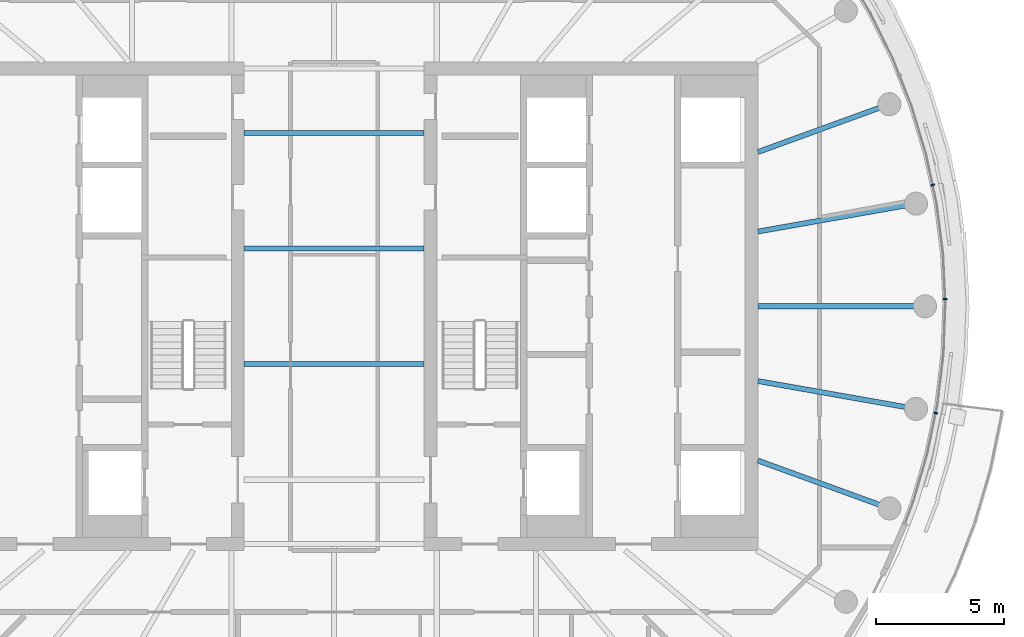
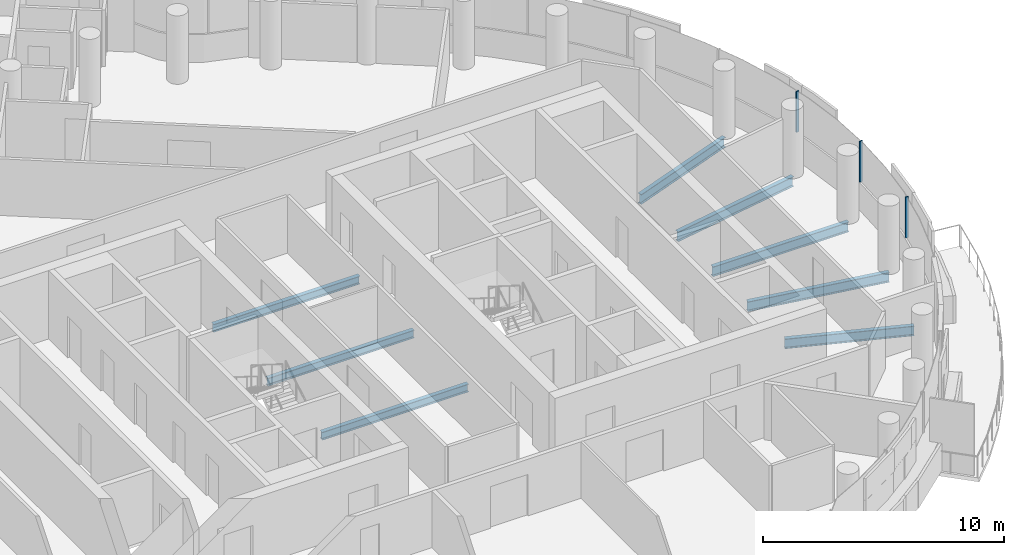
# One storey, part 8 of 26: 8 beams, 3 members, 1 element without a shape of its own.
"""IFC4 building model written with IfcOpenShell, lengths in metres."""

from ifc_helpers import new_model, si_unit, direction, frame, origin, origin_2d, place, context, subcontext, project, spatial, rectangle, i_section, extrude, material, layer, layer_set, material_profile, profile_set, type_object, element, aggregate, save


model = new_model("IFC4")

# Units and contexts
model_context = context("Model", 3, precision=1e-05, world=origin(), true_north=direction((0.0, 1.0)))
body_context = subcontext(model_context, "Body", "Model", "MODEL_VIEW")
ifc_project = project(units=[si_unit("LENGTHUNIT", "METRE"), si_unit("AREAUNIT", "SQUARE_METRE"), si_unit("VOLUMEUNIT", "CUBIC_METRE"), si_unit("PLANEANGLEUNIT", "RADIAN"), si_unit("MASSUNIT", "GRAM", prefix="KILO")], contexts=[model_context])

# Site, building, storey
site_placement = place(None, origin())
site = spatial("IfcSite", under=ifc_project, at=site_placement, CompositionType="ELEMENT")
building_placement = place(site_placement, origin())
building = spatial("IfcBuilding", under=site, at=building_placement, Name="Tamarind Cross Interchange Tower", CompositionType="ELEMENT")
storey_placement = place(building_placement, frame((0.0, 0.0, 234.300048828125)))
storey = spatial("IfcBuildingStorey", under=building, at=storey_placement, Name="L59", CompositionType="ELEMENT", Elevation=234.300048828125)

# Beams
ifc_material_1 = material(Name="Steel Q355B", Category="steel")
ifc_material_profile_1 = material_profile(ifc_material_1, i_section(OverallWidth=0.199951171875, OverallDepth=0.39990234375, WebThickness=0.008056640625, FlangeThickness=0.012939453125, FilletRadius=0.01611328125, at=origin_2d()), Name="HN 400x200x8x13")
ifc_profile_set_1 = profile_set([ifc_material_profile_1], Name="Steel Q355B")
beam_type_1 = type_object("IfcBeamType", Name="Composite beam HN 400x200x8x13 Q355B", PredefinedType="BEAM", material=ifc_profile_set_1)
for number, where, z_axis, x_axis, name in (
    (1, (-3.5, -2.25, -0.340087890625), (1.0, 0.0, 0.0), (0.0, 1.0, 0.0), "Beam G-2.25"),
    (2, (-3.5, 2.25, -0.340087890625), (1.0, 0.0, 0.0), (0.0, 1.0, 0.0), "Beam G2.25"),
    (3, (-3.5, 6.75, -0.340087890625), (1.0, 0.0, 0.0), (0.0, 1.0, 0.0), "Beam G6.75"),
):
    element("IfcBeam", number, at=place(storey_placement, frame(where, z_axis=z_axis, x_axis=x_axis)), inside=storey, type_object=beam_type_1, Name=name, PredefinedType="BEAM", context=body_context, shape_type="SweptSolid", body=[
        extrude(i_section(OverallWidth=0.199951171875, OverallDepth=0.39990234375, WebThickness=0.008056640625, FlangeThickness=0.012939453125, FilletRadius=0.01611328125, at=origin_2d()), origin(), (0.0, 0.0, 1.0), 7.0),
    ])
ifc_material_profile_2 = material_profile(ifc_material_1, i_section(OverallWidth=0.198974609375, OverallDepth=0.49609375, WebThickness=0.009033203125, FlangeThickness=0.013916015625, FilletRadius=0.012939453125, at=origin_2d()), Name="HN 496x199x9x14")
ifc_profile_set_2 = profile_set([ifc_material_profile_2], Name="Steel Q355B")
beam_type_2 = type_object("IfcBeamType", Name="Composite beam HN 496x199x9x14 Q355B", PredefinedType="BEAM", material=ifc_profile_set_2)
beam_1_placement = place(storey_placement, frame((23.0, 0.0, -0.387939453125), z_axis=(-1.0, 0.0, 0.0), x_axis=(0.0, -1.0, 0.0)))
element("IfcBeam", 4, at=beam_1_placement, inside=storey, type_object=beam_type_2, Name="Beam HH00", PredefinedType="BEAM", context=body_context, shape_type="SweptSolid", body=[
    extrude(i_section(OverallWidth=0.198974609375, OverallDepth=0.49609375, WebThickness=0.009033203125, FlangeThickness=0.013916015625, FilletRadius=0.012939453125, at=origin_2d()), origin(), (0.0, 0.0, 1.0), 6.5),
])
beam_2_placement = place(storey_placement, frame((22.650634765625, 3.993896484375, -0.387939453125), z_axis=(-0.984809127561, -0.173640382036, 0.0), x_axis=(0.173640382036, -0.984809127561, 0.0)))
element("IfcBeam", 5, at=beam_2_placement, inside=storey, type_object=beam_type_2, Name="Beam HH01", PredefinedType="BEAM", context=body_context, shape_type="SweptSolid", body=[
    extrude(i_section(OverallWidth=0.198974609375, OverallDepth=0.49609375, WebThickness=0.009033203125, FlangeThickness=0.013916015625, FilletRadius=0.012939453125, at=origin_2d()), origin(), (0.0, 0.0, 1.0), 6.24560546875),
])
for number, where, z_axis, x_axis, name in (
    (6, (21.613037109375, 7.866455078125, -0.387939453125), (-0.939701685589, -0.341995236956, 0.0), (0.341995236956, -0.939701685589, 0.0), "Beam HH02"),
    (7, (21.613037109375, -7.866455078125, -0.387939453125), (-0.939701685589, 0.341995236956, 0.0), (-0.341995236956, -0.939701685589, 0.0), "Beam HH34"),
):
    element("IfcBeam", number, at=place(storey_placement, frame(where, z_axis=z_axis, x_axis=x_axis)), inside=storey, type_object=beam_type_2, Name=name, PredefinedType="BEAM", context=body_context, shape_type="SweptSolid", body=[
        extrude(i_section(OverallWidth=0.198974609375, OverallDepth=0.49609375, WebThickness=0.009033203125, FlangeThickness=0.013916015625, FilletRadius=0.012939453125, at=origin_2d()), origin(), (0.0, 0.0, 1.0), 5.441162109375),
    ])
beam_3_placement = place(storey_placement, frame((22.650634765625, -3.993896484375, -0.387939453125), z_axis=(-0.984809127561, 0.173640382036, 0.0), x_axis=(-0.173640382036, -0.984809127561, 0.0)))
element("IfcBeam", 8, at=beam_3_placement, inside=storey, type_object=beam_type_2, Name="Beam HH35", PredefinedType="BEAM", context=body_context, shape_type="SweptSolid", body=[
    extrude(i_section(OverallWidth=0.198974609375, OverallDepth=0.49609375, WebThickness=0.009033203125, FlangeThickness=0.013916015625, FilletRadius=0.012939453125, at=origin_2d()), origin(), (0.0, 0.0, 1.0), 6.24560546875),
])

# Curtain wall, members
ifc_material_2 = material(Name="Aluminium 6063-T6", Category="aluminium")
ifc_layer = layer(ifc_material_2, 0.139892578125)
ifc_layer_set = layer_set([ifc_layer], Name="Aluminium 6063-T6")
curtain_wall_type = type_object("IfcCurtainWallType", Name="Hotel curtain wall, 4.5 m bays", PredefinedType="NOTDEFINED", material=ifc_layer_set)
curtain_wall_placement = place(storey_placement, origin())
curtain_wall = element("IfcCurtainWall", 9, at=curtain_wall_placement, inside=storey, type_object=curtain_wall_type, Name="CWS-L59-02", PredefinedType="NOTDEFINED")
ifc_material_profile_3 = material_profile(ifc_material_2, rectangle(XDim=0.06005859375, YDim=0.139892578125, at=origin_2d()), Name="Mullion CW2")
ifc_profile_set_3 = profile_set([ifc_material_profile_3], Name="Aluminium 6063-T6")
member_type = type_object("IfcMemberType", Name="Mullion CW2", PredefinedType="MULLION", material=ifc_profile_set_3)
member_1_placement = place(storey_placement, frame((23.41796875, -4.156005859375, 1.39990234375), z_axis=(0.0, 0.0, 1.0), x_axis=(0.201001463943, 0.9795909409, 0.0)))
member_1 = element("IfcMember", 10, at=member_1_placement, type_object=member_type, Name="CWM-L59-02-13", PredefinedType="MULLION", context=body_context, shape_type="SweptSolid", body=[
    extrude(rectangle(XDim=0.06005859375, YDim=0.139892578125, at=origin_2d()), origin(), (0.0, 0.0, 1.0), 2.06005859375),
])
member_2_placement = place(storey_placement, frame((23.787109375, 0.287841796875, 1.39990234375), z_axis=(0.0, 0.0, 1.0), x_axis=(-0.045624486728, 0.998958660912, 0.0)))
member_2 = element("IfcMember", 11, at=member_2_placement, type_object=member_type, Name="CWM-L59-02-14", PredefinedType="MULLION", context=body_context, shape_type="SweptSolid", body=[
    extrude(rectangle(XDim=0.06005859375, YDim=0.139892578125, at=origin_2d()), origin(), (0.0, 0.0, 1.0), 2.06005859375),
])
member_3_placement = place(storey_placement, frame((23.303466796875, 4.72119140625, 1.39990234375), z_axis=(0.0, 0.0, 1.0), x_axis=(-0.209425419705, 0.977824623121, 0.0)))
member_3 = element("IfcMember", 12, at=member_3_placement, type_object=member_type, Name="CWM-L59-02-15", PredefinedType="MULLION", context=body_context, shape_type="SweptSolid", body=[
    extrude(rectangle(XDim=0.06005859375, YDim=0.139892578125, at=origin_2d()), origin(), (0.0, 0.0, 1.0), 2.06005859375),
])
aggregate(curtain_wall, [member_1, member_2, member_3])

save(model, "model.ifc")
